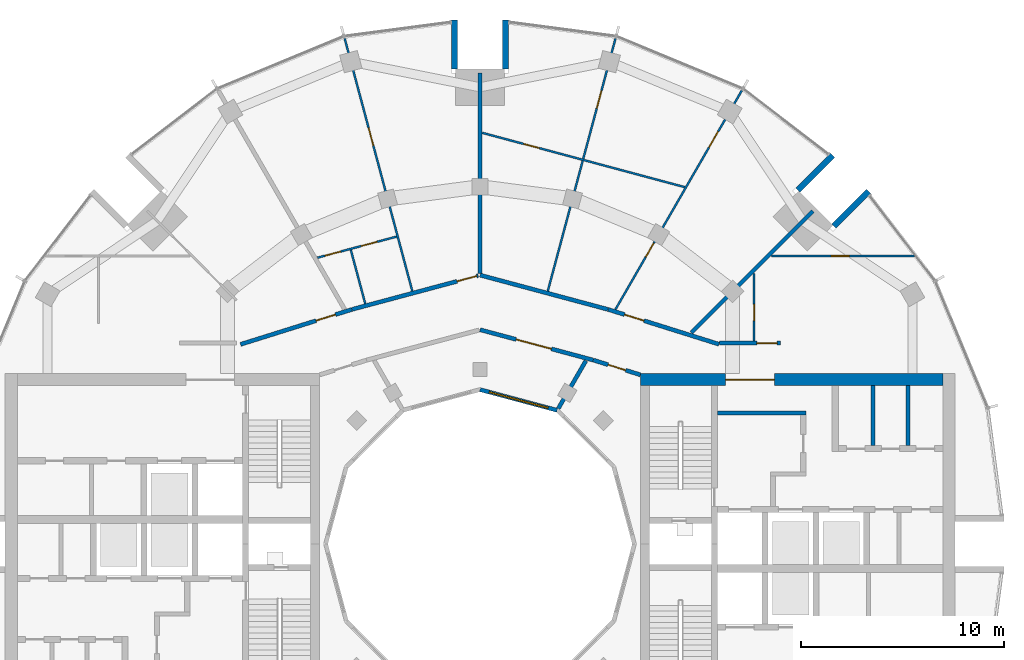
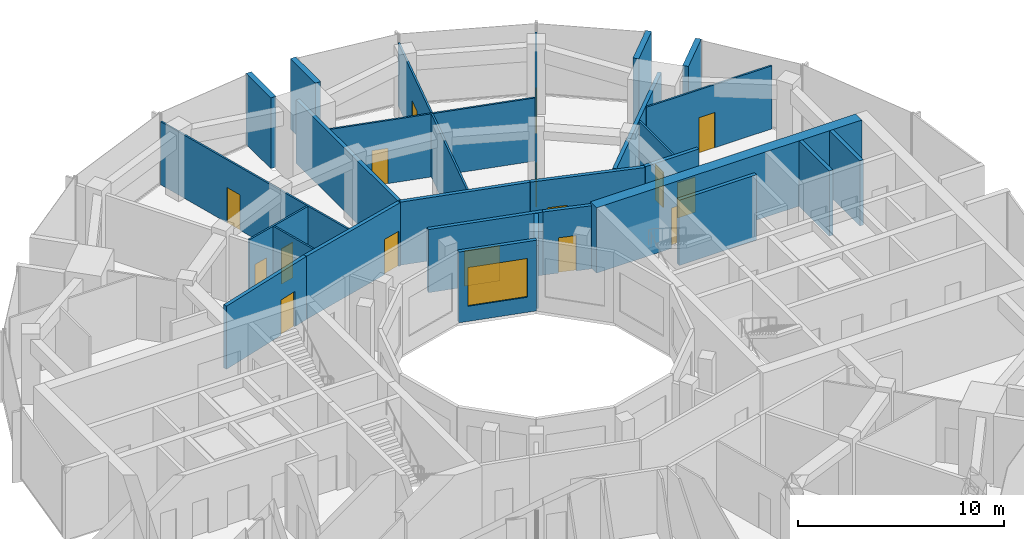
# One storey, part 12 of 15: 27 walls, 16 doors, 1 window, 17 openings.
"""IFC4 building model written with IfcOpenShell, lengths in metres."""

from ifc_helpers import new_model, si_unit, direction, frame, frame_2d, origin, place, context, subcontext, project, spatial, rectangle, extrude, material, layer, layer_set, type_object, element, fill, save


model = new_model("IFC4")

# Units and contexts
model_context = context("Model", 3, precision=1e-05, world=origin(), true_north=direction((0.0, 1.0)))
body_context = subcontext(model_context, "Body", "Model", "MODEL_VIEW")
ifc_project = project(units=[si_unit("LENGTHUNIT", "METRE"), si_unit("AREAUNIT", "SQUARE_METRE"), si_unit("VOLUMEUNIT", "CUBIC_METRE"), si_unit("PLANEANGLEUNIT", "RADIAN"), si_unit("MASSUNIT", "GRAM", prefix="KILO")], contexts=[model_context])

# Site, building, storey
site_placement = place(None, origin())
site = spatial("IfcSite", under=ifc_project, at=site_placement, CompositionType="ELEMENT")
building_placement = place(site_placement, origin())
building = spatial("IfcBuilding", under=site, at=building_placement, Name="Torre Brocal", CompositionType="ELEMENT")
storey_placement = place(building_placement, frame((0.0, 0.0, 216.699951171875)))
storey = spatial("IfcBuildingStorey", under=building, at=storey_placement, Name="L50", CompositionType="ELEMENT", Elevation=216.699951171875)

# Walls
ifc_material_1 = material(Name="Masonry block", Category="masonry")
ifc_layer_1 = layer(ifc_material_1, 0.199951171875)
ifc_layer_set_1 = layer_set([ifc_layer_1], Name="Masonry block")
wall_type_1 = type_object("IfcWallType", Name="CORE PARTITION 200", PredefinedType="PARTITIONING", material=ifc_layer_set_1)
for number, where, z_axis, x_axis, name in (
    (1, (99.36669921875, 79.85009765625, 0.0), (0.0, 0.0, 1.0), (0.0, 1.0, 0.0), "Wall CP200"),
    (2, (101.083251953125, 79.85009765625, 0.0), (0.0, 0.0, 1.0), (0.0, 1.0, 0.0), "Wall CP200"),
):
    element("IfcWall", number, at=place(storey_placement, frame(where, z_axis=z_axis, x_axis=x_axis)), inside=storey, type_object=wall_type_1, Name=name, PredefinedType="PARTITIONING", context=body_context, shape_type="SweptSolid", body=[
        extrude(rectangle(XDim=2.949951171875, YDim=0.199951171875, at=frame_2d((1.47509765625, 0.0))), origin(), (0.0, 0.0, 1.0), 3.880126953125),
    ])
ifc_material_2 = material(Name="Concrete C60", Category="concrete")
ifc_layer_2 = layer(ifc_material_2, 0.199951171875)
ifc_layer_set_2 = layer_set([ifc_layer_2], Name="Concrete C60")
wall_type_2 = type_object("IfcWallType", Name="CORE WALL 200 C60", PredefinedType="SHEAR", material=ifc_layer_set_2)
wall_1_placement = place(storey_placement, frame((91.699951171875, 81.449951171875, 0.0), z_axis=(0.0, 0.0, 1.0), x_axis=(1.0, 0.0, 0.0)))
element("IfcWall", 3, at=wall_1_placement, inside=storey, type_object=wall_type_2, Name="Wall CW200-60", PredefinedType="SHEAR", context=body_context, shape_type="SweptSolid", body=[
    extrude(rectangle(XDim=4.35009765625, YDim=0.199951171875, at=frame_2d((2.175048828125, 0.0))), origin(), (0.0, 0.0, 1.0), 3.880126953125),
])

# Wall, opening, door
ifc_material_3 = material(Name="Concrete C60", Category="concrete")
ifc_layer_3 = layer(ifc_material_3, 0.60009765625)
ifc_layer_set_3 = layer_set([ifc_layer_3], Name="Concrete C60")
wall_type_3 = type_object("IfcWallType", Name="CORE WALL 600 C60", PredefinedType="SHEAR", material=ifc_layer_set_3)
wall_2_placement = place(storey_placement, frame((87.89990234375, 83.10009765625, 0.0), z_axis=(0.0, 0.0, 1.0), x_axis=(1.0, 0.0, 0.0)))
wall_2 = element("IfcWall", 4, at=wall_2_placement, inside=storey, type_object=wall_type_3, Name="Wall CW600-60", PredefinedType="SHEAR", context=body_context, shape_type="SweptSolid", body=[
    extrude(rectangle(XDim=14.900146484375, YDim=0.60009765625, at=frame_2d((7.4501953125, 0.0))), origin(), (0.0, 0.0, 1.0), 3.880126953125),
])
opening_1_placement = place(wall_2_placement, frame((4.199951171875, 0.0, 0.0)))
opening_1 = element("IfcOpeningElement", 5, at=opening_1_placement, cuts=wall_2, Name="Opening E-D12", PredefinedType="OPENING", context=body_context, shape_type="SweptSolid", body=[
    extrude(rectangle(XDim=2.39990234375, YDim=2.39990234375, at=frame_2d((1.199951171875, 1.199951171875))), frame((0.0, 0.31005859375, 0.0), z_axis=(0.0, -1.0, 0.0), x_axis=(1.0, 0.0, 0.0)), (0.0, 0.0, 1.0), 0.6201171875),
])
ifc_material_4 = material(Name="Steel A653", Category="steel")
door_type_1 = type_object("IfcDoorType", Name="DOUBLE FIRE DOOR FD90 2400X2400", OperationType="DOUBLE_DOOR_SINGLE_SWING", PredefinedType="DOOR", material=ifc_material_4)
door_1_placement = place(opening_1_placement, frame((2.39990234375, 0.0, 0.0), z_axis=(0.0, 0.0, 1.0), x_axis=(-1.0, 0.0, 0.0)))
door_1 = element("IfcDoor", 6, at=door_1_placement, inside=storey, type_object=door_type_1, Name="Door E-D12", OperationType="DOUBLE_DOOR_SINGLE_SWING", OverallHeight=2.39990234375, OverallWidth=2.39990234375, PredefinedType="DOOR", context=body_context, shape_type="SweptSolid", body=[
    extrude(rectangle(XDim=2.39990234375, YDim=2.39990234375, at=frame_2d((1.199951171875, 1.199951171875))), frame((0.0, 0.02490234375, 0.0), z_axis=(0.0, -1.0, 0.0), x_axis=(1.0, 0.0, 0.0)), (0.0, 0.0, 1.0), 0.050048828125),
])
fill(opening_1, door_1)

# Walls
ifc_material_5 = material(Name="Concrete C60", Category="concrete")
ifc_layer_4 = layer(ifc_material_5, 0.300048828125)
ifc_layer_set_4 = layer_set([ifc_layer_4], Name="Concrete C60")
wall_type_4 = type_object("IfcWallType", Name="NOTCH RETURN WALL 300 C60", PredefinedType="NOTDEFINED", material=ifc_layer_set_4)
for number, where, z_axis, x_axis, name in (
    (7, (97.43017578125, 90.662353515625, 0.0), (0.0, 0.0, 1.0), (0.707106781187, 0.707106781187, 0.0), "NOTCH RETURN WALL"),
    (8, (95.662353515625, 92.43017578125, 0.0), (0.0, 0.0, 1.0), (0.707106781187, 0.707106781187, 0.0), "NOTCH RETURN WALL"),
    (9, (81.25, 98.39990234375, 0.0), (0.0, 0.0, 1.0), (0.0, 1.0, 0.0), "NOTCH RETURN WALL"),
    (10, (78.75, 98.39990234375, 0.0), (0.0, 0.0, 1.0), (0.0, 1.0, 0.0), "NOTCH RETURN WALL"),
):
    element("IfcWall", number, at=place(storey_placement, frame(where, z_axis=z_axis, x_axis=x_axis)), inside=storey, type_object=wall_type_4, Name=name, PredefinedType="NOTDEFINED", context=body_context, shape_type="SweptSolid", body=[
        extrude(rectangle(XDim=2.415771484375, YDim=0.300048828125, at=frame_2d((1.2080078125, 0.0))), origin(), (0.0, 0.0, 1.0), 4.199951171875),
    ])

# Wall, openings, doors
ifc_material_6 = material(Name="Gypsum board", Category="Gypsum")
ifc_layer_5 = layer(ifc_material_6, 0.10009765625)
ifc_layer_set_5 = layer_set([ifc_layer_5], Name="Gypsum board")
wall_type_5 = type_object("IfcWallType", Name="PARTITION 100", PredefinedType="PARTITIONING", material=ifc_layer_set_5)
wall_3_placement = place(storey_placement, frame((71.9912109375, 89.104248046875, 0.0), z_axis=(0.0, 0.0, 1.0), x_axis=(0.96632826418, 0.257312428472, 0.0)))
wall_3 = element("IfcWall", 11, at=wall_3_placement, inside=storey, type_object=wall_type_5, Name="BATHROOM WALL", PredefinedType="PARTITIONING", context=body_context, shape_type="SweptSolid", body=[
    extrude(rectangle(XDim=4.035400390625, YDim=0.10009765625, at=frame_2d((2.017578125, 0.0))), origin(), (0.0, 0.0, 1.0), 3.75),
])
opening_2_placement = place(wall_3_placement, frame((2.235107421875, 0.0, 0.0)))
opening_2 = element("IfcOpeningElement", 12, at=opening_2_placement, cuts=wall_3, Name="Opening B01-D11", PredefinedType="OPENING", context=body_context, shape_type="SweptSolid", body=[
    extrude(rectangle(XDim=0.800048828125, YDim=2.10009765625, at=frame_2d((0.39990234375, 1.050048828125))), frame((0.0, 0.06005859375, 0.0), z_axis=(0.0, -1.0, 0.0), x_axis=(1.0, 0.0, 0.0)), (0.0, 0.0, 1.0), 0.1201171875),
])
opening_3_placement = place(wall_3_placement, frame((0.3828125, 0.0, 0.0)))
opening_3 = element("IfcOpeningElement", 13, at=opening_3_placement, cuts=wall_3, Name="Opening B01-D12", PredefinedType="OPENING", context=body_context, shape_type="SweptSolid", body=[
    extrude(rectangle(XDim=0.800048828125, YDim=2.10009765625, at=frame_2d((0.39990234375, 1.050048828125))), frame((0.0, 0.06005859375, 0.0), z_axis=(0.0, -1.0, 0.0), x_axis=(1.0, 0.0, 0.0)), (0.0, 0.0, 1.0), 0.1201171875),
])
ifc_material_7 = material(Name="Timber", Category="wood")
door_type_2 = type_object("IfcDoorType", Name="BATHROOM DOOR 800X2100", OperationType="SINGLE_SWING_LEFT", PredefinedType="DOOR", material=ifc_material_7)
door_2_placement = place(opening_2_placement, frame((0.800048828125, 0.0, 0.0), z_axis=(0.0, 0.0, 1.0), x_axis=(-1.0, 0.0, 0.0)))
door_2 = element("IfcDoor", 14, at=door_2_placement, inside=storey, type_object=door_type_2, Name="B01-D11", OperationType="SINGLE_SWING_RIGHT", OverallHeight=2.10009765625, OverallWidth=0.800048828125, PredefinedType="DOOR", context=body_context, shape_type="SweptSolid", body=[
    extrude(rectangle(XDim=0.800048828125, YDim=2.10009765625, at=frame_2d((0.39990234375, 1.050048828125))), frame((0.0, 0.02490234375, 0.0), z_axis=(0.0, -1.0, 0.0), x_axis=(1.0, 0.0, 0.0)), (0.0, 0.0, 1.0), 0.050048828125),
])
fill(opening_2, door_2)
door_3_placement = place(opening_3_placement, frame((0.800048828125, 0.0, 0.0), z_axis=(0.0, 0.0, 1.0), x_axis=(-1.0, 0.0, 0.0)))
door_3 = element("IfcDoor", 15, at=door_3_placement, inside=storey, type_object=door_type_2, Name="B01-D12", OperationType="SINGLE_SWING_RIGHT", OverallHeight=2.10009765625, OverallWidth=0.800048828125, PredefinedType="DOOR", context=body_context, shape_type="SweptSolid", body=[
    extrude(rectangle(XDim=0.800048828125, YDim=2.10009765625, at=frame_2d((0.39990234375, 1.050048828125))), frame((0.0, 0.02490234375, 0.0), z_axis=(0.0, -1.0, 0.0), x_axis=(1.0, 0.0, 0.0)), (0.0, 0.0, 1.0), 0.050048828125),
])
fill(opening_3, door_3)

# Wall, opening, door
wall_4_placement = place(storey_placement, frame((73.32568359375, 99.919921875, 0.0), z_axis=(0.0, 0.0, 1.0), x_axis=(0.258675243249, -0.965964346407, 0.0)))
wall_4 = element("IfcWall", 16, at=wall_4_placement, inside=storey, type_object=wall_type_5, Name="BATHROOM WALL", PredefinedType="PARTITIONING", context=body_context, shape_type="SweptSolid", body=[
    extrude(rectangle(XDim=12.90380859375, YDim=0.10009765625, at=frame_2d((6.451904296875, 0.0))), origin(), (0.0, 0.0, 1.0), 3.75),
])
opening_4_placement = place(wall_4_placement, frame((4.5771484375, 0.0, 0.0)))
opening_4 = element("IfcOpeningElement", 17, at=opening_4_placement, cuts=wall_4, Name="Opening B01-D10", PredefinedType="OPENING", context=body_context, shape_type="SweptSolid", body=[
    extrude(rectangle(XDim=0.89990234375, YDim=2.10009765625, at=frame_2d((0.449951171875, 1.050048828125))), frame((0.0, 0.06005859375, 0.0), z_axis=(0.0, -1.0, 0.0), x_axis=(1.0, 0.0, 0.0)), (0.0, 0.0, 1.0), 0.1201171875),
])
ifc_material_8 = material(Name="Timber", Category="wood")
door_type_3 = type_object("IfcDoorType", Name="ROOM DOOR 900X2100", OperationType="SINGLE_SWING_LEFT", PredefinedType="DOOR", material=ifc_material_8)
door_4_placement = place(opening_4_placement, frame((0.89990234375, 0.0, 0.0), z_axis=(0.0, 0.0, 1.0), x_axis=(-1.0, 0.0, 0.0)))
door_4 = element("IfcDoor", 18, at=door_4_placement, inside=storey, type_object=door_type_3, Name="B01-D10", OperationType="SINGLE_SWING_RIGHT", OverallHeight=2.10009765625, OverallWidth=0.89990234375, PredefinedType="DOOR", context=body_context, shape_type="SweptSolid", body=[
    extrude(rectangle(XDim=0.89990234375, YDim=2.10009765625, at=frame_2d((0.449951171875, 1.050048828125))), frame((0.0, 0.02490234375, 0.0), z_axis=(0.0, -1.0, 0.0), x_axis=(1.0, 0.0, 0.0)), (0.0, 0.0, 1.0), 0.050048828125),
])
fill(opening_4, door_4)

# Wall
wall_5_placement = place(storey_placement, frame((73.6328125, 89.48974609375, 0.0), z_axis=(0.0, 0.0, 1.0), x_axis=(0.259005329799, -0.965875892201, 0.0)))
element("IfcWall", 19, at=wall_5_placement, inside=storey, type_object=wall_type_5, Name="BATHROOM WALL", PredefinedType="PARTITIONING", context=body_context, shape_type="SweptSolid", body=[
    extrude(rectangle(XDim=2.74951171875, YDim=0.10009765625, at=frame_2d((1.374755859375, 0.0))), origin(), (0.0, 0.0, 1.0), 3.75),
])

# Wall, opening, door
wall_6_placement = place(storey_placement, frame((80.106201171875, 95.257568359375, 0.0), z_axis=(0.0, 0.0, 1.0), x_axis=(0.965862886122, -0.259053826862, 0.0)))
wall_6 = element("IfcWall", 20, at=wall_6_placement, inside=storey, type_object=wall_type_5, Name="BATHROOM WALL", PredefinedType="PARTITIONING", context=body_context, shape_type="SweptSolid", body=[
    extrude(rectangle(XDim=10.3310546875, YDim=0.10009765625, at=frame_2d((5.16552734375, 0.0))), origin(), (0.0, 0.0, 1.0), 3.75),
])
opening_5_placement = place(wall_6_placement, frame((2.114990234375, 0.0, 0.0)))
opening_5 = element("IfcOpeningElement", 21, at=opening_5_placement, cuts=wall_6, Name="Opening B01-D08", PredefinedType="OPENING", context=body_context, shape_type="SweptSolid", body=[
    extrude(rectangle(XDim=0.800048828125, YDim=2.10009765625, at=frame_2d((0.39990234375, 1.050048828125))), frame((0.0, 0.06005859375, 0.0), z_axis=(0.0, -1.0, 0.0), x_axis=(1.0, 0.0, 0.0)), (0.0, 0.0, 1.0), 0.1201171875),
])
door_5_placement = place(opening_5_placement, frame((0.800048828125, 0.0, 0.0), z_axis=(0.0, 0.0, 1.0), x_axis=(-1.0, 0.0, 0.0)))
door_5 = element("IfcDoor", 22, at=door_5_placement, inside=storey, type_object=door_type_2, Name="B01-D08", OperationType="SINGLE_SWING_RIGHT", OverallHeight=2.10009765625, OverallWidth=0.800048828125, PredefinedType="DOOR", context=body_context, shape_type="SweptSolid", body=[
    extrude(rectangle(XDim=0.800048828125, YDim=2.10009765625, at=frame_2d((0.39990234375, 1.050048828125))), frame((0.0, 0.02490234375, 0.0), z_axis=(0.0, -1.0, 0.0), x_axis=(1.0, 0.0, 0.0)), (0.0, 0.0, 1.0), 0.050048828125),
])
fill(opening_5, door_5)

wall_7_placement = place(storey_placement, frame((83.3369140625, 87.455078125, 0.0), z_axis=(0.0, 0.0, 1.0), x_axis=(0.258843579905, 0.965919251875, 0.0)))
wall_7 = element("IfcWall", 23, at=wall_7_placement, inside=storey, type_object=wall_type_5, Name="BATHROOM WALL", PredefinedType="PARTITIONING", context=body_context, shape_type="SweptSolid", body=[
    extrude(rectangle(XDim=12.90380859375, YDim=0.10009765625, at=frame_2d((6.451904296875, 0.0))), origin(), (0.0, 0.0, 1.0), 3.75),
])
opening_6_placement = place(wall_7_placement, frame((9.326416015625, 0.0, 0.0)))
opening_6 = element("IfcOpeningElement", 24, at=opening_6_placement, cuts=wall_7, Name="Opening B01-D07", PredefinedType="OPENING", context=body_context, shape_type="SweptSolid", body=[
    extrude(rectangle(XDim=0.89990234375, YDim=2.10009765625, at=frame_2d((0.449951171875, 1.050048828125))), frame((0.0, 0.06005859375, 0.0), z_axis=(0.0, -1.0, 0.0), x_axis=(1.0, 0.0, 0.0)), (0.0, 0.0, 1.0), 0.1201171875),
])
door_6_placement = place(opening_6_placement, origin())
door_6 = element("IfcDoor", 25, at=door_6_placement, inside=storey, type_object=door_type_3, Name="B01-D07", OperationType="SINGLE_SWING_RIGHT", OverallHeight=2.10009765625, OverallWidth=0.89990234375, PredefinedType="DOOR", context=body_context, shape_type="SweptSolid", body=[
    extrude(rectangle(XDim=0.89990234375, YDim=2.10009765625, at=frame_2d((0.449951171875, 1.050048828125))), frame((0.0, 0.02490234375, 0.0), z_axis=(0.0, -1.0, 0.0), x_axis=(1.0, 0.0, 0.0)), (0.0, 0.0, 1.0), 0.050048828125),
])
fill(opening_6, door_6)

# Wall, openings, doors
wall_8_placement = place(storey_placement, frame((86.6708984375, 86.55419921875, 0.0), z_axis=(0.0, 0.0, 1.0), x_axis=(0.50001992892, 0.866013897511, 0.0)))
wall_8 = element("IfcWall", 26, at=wall_8_placement, inside=storey, type_object=wall_type_5, Name="BATHROOM WALL", PredefinedType="PARTITIONING", context=body_context, shape_type="SweptSolid", body=[
    extrude(rectangle(XDim=12.4560546875, YDim=0.10009765625, at=frame_2d((6.22802734375, 0.0))), origin(), (0.0, 0.0, 1.0), 3.75),
])
opening_7_placement = place(wall_8_placement, frame((9.214599609375, 0.0, 0.0)))
opening_7 = element("IfcOpeningElement", 27, at=opening_7_placement, cuts=wall_8, Name="Opening B01-D05", PredefinedType="OPENING", context=body_context, shape_type="SweptSolid", body=[
    extrude(rectangle(XDim=0.89990234375, YDim=2.10009765625, at=frame_2d((0.449951171875, 1.050048828125))), frame((0.0, 0.06005859375, 0.0), z_axis=(0.0, -1.0, 0.0), x_axis=(1.0, 0.0, 0.0)), (0.0, 0.0, 1.0), 0.1201171875),
])
opening_8_placement = place(wall_8_placement, frame((2.973876953125, 0.0, 0.0)))
opening_8 = element("IfcOpeningElement", 28, at=opening_8_placement, cuts=wall_8, Name="Opening B01-D06", PredefinedType="OPENING", context=body_context, shape_type="SweptSolid", body=[
    extrude(rectangle(XDim=0.800048828125, YDim=2.10009765625, at=frame_2d((0.39990234375, 1.050048828125))), frame((0.0, 0.06005859375, 0.0), z_axis=(0.0, -1.0, 0.0), x_axis=(1.0, 0.0, 0.0)), (0.0, 0.0, 1.0), 0.1201171875),
])
door_7_placement = place(opening_8_placement, origin())
door_7 = element("IfcDoor", 29, at=door_7_placement, inside=storey, type_object=door_type_2, Name="B01-D06", OperationType="SINGLE_SWING_RIGHT", OverallHeight=2.10009765625, OverallWidth=0.800048828125, PredefinedType="DOOR", context=body_context, shape_type="SweptSolid", body=[
    extrude(rectangle(XDim=0.800048828125, YDim=2.10009765625, at=frame_2d((0.39990234375, 1.050048828125))), frame((0.0, 0.02490234375, 0.0), z_axis=(0.0, -1.0, 0.0), x_axis=(1.0, 0.0, 0.0)), (0.0, 0.0, 1.0), 0.050048828125),
])
fill(opening_8, door_7)
door_8_placement = place(opening_7_placement, frame((0.89990234375, 0.0, 0.0), z_axis=(0.0, 0.0, 1.0), x_axis=(-1.0, 0.0, 0.0)))
door_8 = element("IfcDoor", 30, at=door_8_placement, inside=storey, type_object=door_type_3, Name="B01-D05", OperationType="SINGLE_SWING_LEFT", OverallHeight=2.10009765625, OverallWidth=0.89990234375, PredefinedType="DOOR", context=body_context, shape_type="SweptSolid", body=[
    extrude(rectangle(XDim=0.89990234375, YDim=2.10009765625, at=frame_2d((0.449951171875, 1.050048828125))), frame((0.0, 0.02490234375, 0.0), z_axis=(0.0, -1.0, 0.0), x_axis=(1.0, 0.0, 0.0)), (0.0, 0.0, 1.0), 0.050048828125),
])
fill(opening_7, door_8)

# Wall, opening, door
wall_9_placement = place(storey_placement, frame((93.5, 85.0, 0.0), z_axis=(0.0, 0.0, 1.0), x_axis=(0.0, 1.0, 0.0)))
wall_9 = element("IfcWall", 31, at=wall_9_placement, inside=storey, type_object=wall_type_5, Name="BATHROOM WALL", PredefinedType="PARTITIONING", context=body_context, shape_type="SweptSolid", body=[
    extrude(rectangle(XDim=3.3193359375, YDim=0.10009765625, at=frame_2d((1.65966796875, 0.0))), origin(), (0.0, 0.0, 1.0), 3.75),
])
opening_9_placement = place(wall_9_placement, frame((1.0, 0.0, 0.0)))
opening_9 = element("IfcOpeningElement", 32, at=opening_9_placement, cuts=wall_9, Name="Opening B01-D03", PredefinedType="OPENING", context=body_context, shape_type="SweptSolid", body=[
    extrude(rectangle(XDim=0.800048828125, YDim=2.10009765625, at=frame_2d((0.39990234375, 1.050048828125))), frame((0.0, 0.06005859375, 0.0), z_axis=(0.0, -1.0, 0.0), x_axis=(1.0, 0.0, 0.0)), (0.0, 0.0, 1.0), 0.1201171875),
])
door_9_placement = place(opening_9_placement, origin())
door_9 = element("IfcDoor", 33, at=door_9_placement, inside=storey, type_object=door_type_2, Name="B01-D03", OperationType="SINGLE_SWING_LEFT", OverallHeight=2.10009765625, OverallWidth=0.800048828125, PredefinedType="DOOR", context=body_context, shape_type="SweptSolid", body=[
    extrude(rectangle(XDim=0.800048828125, YDim=2.10009765625, at=frame_2d((0.39990234375, 1.050048828125))), frame((0.0, 0.02490234375, 0.0), z_axis=(0.0, -1.0, 0.0), x_axis=(1.0, 0.0, 0.0)), (0.0, 0.0, 1.0), 0.050048828125),
])
fill(opening_9, door_9)

wall_10_placement = place(storey_placement, frame((94.36865234375, 89.18798828125, 0.0), z_axis=(0.0, 0.0, 1.0), x_axis=(1.0, 0.0, 0.0)))
wall_10 = element("IfcWall", 34, at=wall_10_placement, inside=storey, type_object=wall_type_5, Name="ROOM PARTITION", PredefinedType="PARTITIONING", context=body_context, shape_type="SweptSolid", body=[
    extrude(rectangle(XDim=7.03125, YDim=0.10009765625, at=frame_2d((3.515625, 0.0))), origin(), (0.0, 0.0, 1.0), 3.75),
])
opening_10_placement = place(wall_10_placement, frame((2.9267578125, 0.0, 0.0)))
opening_10 = element("IfcOpeningElement", 35, at=opening_10_placement, cuts=wall_10, Name="Opening B01-D01", PredefinedType="OPENING", context=body_context, shape_type="SweptSolid", body=[
    extrude(rectangle(XDim=0.89990234375, YDim=2.10009765625, at=frame_2d((0.449951171875, 1.050048828125))), frame((0.0, 0.06005859375, 0.0), z_axis=(0.0, -1.0, 0.0), x_axis=(1.0, 0.0, 0.0)), (0.0, 0.0, 1.0), 0.1201171875),
])
door_10_placement = place(opening_10_placement, origin())
door_10 = element("IfcDoor", 36, at=door_10_placement, inside=storey, type_object=door_type_3, Name="B01-D01", OperationType="SINGLE_SWING_LEFT", OverallHeight=2.10009765625, OverallWidth=0.89990234375, PredefinedType="DOOR", context=body_context, shape_type="SweptSolid", body=[
    extrude(rectangle(XDim=0.89990234375, YDim=2.10009765625, at=frame_2d((0.449951171875, 1.050048828125))), frame((0.0, 0.02490234375, 0.0), z_axis=(0.0, -1.0, 0.0), x_axis=(1.0, 0.0, 0.0)), (0.0, 0.0, 1.0), 0.050048828125),
])
fill(opening_10, door_10)

ifc_material_9 = material(Name="Gypsum board", Category="Gypsum")
ifc_layer_6 = layer(ifc_material_9, 0.199951171875)
ifc_layer_set_6 = layer_set([ifc_layer_6], Name="Gypsum board")
wall_type_6 = type_object("IfcWallType", Name="PARTITION 200 EI60", PredefinedType="PARTITIONING", material=ifc_layer_set_6)
wall_11_placement = place(storey_placement, frame((68.199951171875, 84.83349609375, 0.0), z_axis=(0.0, 0.0, 1.0), x_axis=(0.954204109499, 0.299156342762, 0.0)))
wall_11 = element("IfcWall", 37, at=wall_11_placement, inside=storey, type_object=wall_type_6, Name="FLAT ENTRANCE WALL", PredefinedType="PARTITIONING", context=body_context, shape_type="SweptSolid", body=[
    extrude(rectangle(XDim=5.740478515625, YDim=0.199951171875, at=frame_2d((2.8701171875, 0.0))), origin(), (0.0, 0.0, 1.0), 3.75),
])
opening_11_placement = place(wall_11_placement, frame((3.90283203125, 0.0, 0.0)))
opening_11 = element("IfcOpeningElement", 38, at=opening_11_placement, cuts=wall_11, Name="Opening B01-D13", PredefinedType="OPENING", context=body_context, shape_type="SweptSolid", body=[
    extrude(rectangle(XDim=1.0, YDim=2.10009765625, at=frame_2d((0.5, 1.050048828125))), frame((0.0, 0.10986328125, 0.0), z_axis=(0.0, -1.0, 0.0), x_axis=(1.0, 0.0, 0.0)), (0.0, 0.0, 1.0), 0.219970703125),
])
ifc_material_10 = material(Name="Timber", Category="wood")
door_type_4 = type_object("IfcDoorType", Name="FLAT ENTRY DOOR FD30S 1000X2100", OperationType="SINGLE_SWING_RIGHT", PredefinedType="DOOR", material=ifc_material_10)
door_11_placement = place(opening_11_placement, origin())
door_11 = element("IfcDoor", 39, at=door_11_placement, inside=storey, type_object=door_type_4, Name="B01-D13", OperationType="SINGLE_SWING_RIGHT", OverallHeight=2.10009765625, OverallWidth=1.0, PredefinedType="DOOR", context=body_context, shape_type="SweptSolid", body=[
    extrude(rectangle(XDim=1.0, YDim=2.10009765625, at=frame_2d((0.5, 1.050048828125))), frame((0.0, 0.02490234375, 0.0), z_axis=(0.0, -1.0, 0.0), x_axis=(1.0, 0.0, 0.0)), (0.0, 0.0, 1.0), 0.050048828125),
])
fill(opening_11, door_11)

wall_12_placement = place(storey_placement, frame((73.686767578125, 86.5546875, 0.0), z_axis=(0.0, 0.0, 1.0), x_axis=(0.966020868517, 0.258464081818, 0.0)))
wall_12 = element("IfcWall", 40, at=wall_12_placement, inside=storey, type_object=wall_type_6, Name="FLAT ENTRANCE WALL", PredefinedType="PARTITIONING", context=body_context, shape_type="SweptSolid", body=[
    extrude(rectangle(XDim=6.44580078125, YDim=0.199951171875, at=frame_2d((3.222900390625, 0.0))), origin(), (0.0, 0.0, 1.0), 3.75),
])
opening_12_placement = place(wall_12_placement, frame((5.36181640625, 0.0, 0.0)))
opening_12 = element("IfcOpeningElement", 41, at=opening_12_placement, cuts=wall_12, Name="Opening B01-D09", PredefinedType="OPENING", context=body_context, shape_type="SweptSolid", body=[
    extrude(rectangle(XDim=1.0, YDim=2.10009765625, at=frame_2d((0.5, 1.050048828125))), frame((0.0, 0.10986328125, 0.0), z_axis=(0.0, -1.0, 0.0), x_axis=(1.0, 0.0, 0.0)), (0.0, 0.0, 1.0), 0.219970703125),
])
door_12_placement = place(opening_12_placement, origin())
door_12 = element("IfcDoor", 42, at=door_12_placement, inside=storey, type_object=door_type_4, Name="B01-D09", OperationType="SINGLE_SWING_RIGHT", OverallHeight=2.10009765625, OverallWidth=1.0, PredefinedType="DOOR", context=body_context, shape_type="SweptSolid", body=[
    extrude(rectangle(XDim=1.0, YDim=2.10009765625, at=frame_2d((0.5, 1.050048828125))), frame((0.0, 0.02490234375, 0.0), z_axis=(0.0, -1.0, 0.0), x_axis=(1.0, 0.0, 0.0)), (0.0, 0.0, 1.0), 0.050048828125),
])
fill(opening_12, door_12)

wall_13_placement = place(storey_placement, frame((80.0, 85.55419921875, 0.0), z_axis=(0.0, 0.0, 1.0), x_axis=(0.965894438951, -0.258936155845, 0.0)))
wall_13 = element("IfcWall", 43, at=wall_13_placement, inside=storey, type_object=wall_type_6, Name="CORRIDOR WALL", PredefinedType="PARTITIONING", context=body_context, shape_type="SweptSolid", body=[
    extrude(rectangle(XDim=5.774169921875, YDim=0.199951171875, at=frame_2d((2.88720703125, 0.0))), origin(), (0.0, 0.0, 1.0), 3.75),
])
opening_13_placement = place(wall_13_placement, frame((1.84130859375, 0.0, 0.0)))
opening_13 = element("IfcOpeningElement", 44, at=opening_13_placement, cuts=wall_13, Name="Opening B01-D18", PredefinedType="OPENING", context=body_context, shape_type="SweptSolid", body=[
    extrude(rectangle(XDim=1.800048828125, YDim=2.10009765625, at=frame_2d((0.89990234375, 1.050048828125))), frame((0.0, 0.10986328125, 0.0), z_axis=(0.0, -1.0, 0.0), x_axis=(1.0, 0.0, 0.0)), (0.0, 0.0, 1.0), 0.219970703125),
])
ifc_material_11 = material(Name="Timber", Category="wood")
door_type_5 = type_object("IfcDoorType", Name="DOUBLE DOOR 1800X2100", OperationType="DOUBLE_DOOR_SINGLE_SWING", PredefinedType="DOOR", material=ifc_material_11)
door_13_placement = place(opening_13_placement, frame((1.800048828125, 0.0, 0.0), z_axis=(0.0, 0.0, 1.0), x_axis=(-1.0, 0.0, 0.0)))
door_13 = element("IfcDoor", 45, at=door_13_placement, inside=storey, type_object=door_type_5, Name="B01-D18", OperationType="DOUBLE_DOOR_SINGLE_SWING", OverallHeight=2.10009765625, OverallWidth=1.800048828125, PredefinedType="DOOR", context=body_context, shape_type="SweptSolid", body=[
    extrude(rectangle(XDim=1.800048828125, YDim=2.10009765625, at=frame_2d((0.89990234375, 1.050048828125))), frame((0.0, 0.02490234375, 0.0), z_axis=(0.0, -1.0, 0.0), x_axis=(1.0, 0.0, 0.0)), (0.0, 0.0, 1.0), 0.050048828125),
])
fill(opening_13, door_13)

# Walls
wall_14_placement = place(storey_placement, frame((80.0, 88.3359375, 0.0), z_axis=(0.0, 0.0, 1.0), x_axis=(0.0, 1.0, 0.0)))
element("IfcWall", 46, at=wall_14_placement, inside=storey, type_object=wall_type_6, Name="BATHROOM WALL", PredefinedType="PARTITIONING", context=body_context, shape_type="SweptSolid", body=[
    extrude(rectangle(XDim=9.864013671875, YDim=0.199951171875, at=frame_2d((4.93212890625, 0.0))), origin(), (0.0, 0.0, 1.0), 3.75),
])
wall_15_placement = place(storey_placement, frame((80.0, 88.24609375, 0.0), z_axis=(0.0, 0.0, 1.0), x_axis=(0.965866355913, -0.25904088966, 0.0)))
element("IfcWall", 47, at=wall_15_placement, inside=storey, type_object=wall_type_6, Name="GUESTROOM CORRIDOR WALL", PredefinedType="PARTITIONING", context=body_context, shape_type="SweptSolid", body=[
    extrude(rectangle(XDim=6.525634765625, YDim=0.199951171875, at=frame_2d((3.2626953125, 0.0))), origin(), (0.0, 0.0, 1.0), 3.75),
])
wall_16_placement = place(storey_placement, frame((83.8515625, 81.6669921875, 0.0), z_axis=(0.0, 0.0, 1.0), x_axis=(0.500138740334, 0.865945287196, 0.0)))
element("IfcWall", 48, at=wall_16_placement, inside=storey, type_object=wall_type_6, Name="SERVICE ROOM WALL", PredefinedType="PARTITIONING", context=body_context, shape_type="SweptSolid", body=[
    extrude(rectangle(XDim=2.724365234375, YDim=0.199951171875, at=frame_2d((1.3623046875, 0.0))), origin(), (0.0, 0.0, 1.0), 3.75),
])

# Wall, opening, door
wall_17_placement = place(storey_placement, frame((85.5869140625, 84.056884765625, 0.0), z_axis=(0.0, 0.0, 1.0), x_axis=(0.954239513179, -0.299043393987, 0.0)))
wall_17 = element("IfcWall", 49, at=wall_17_placement, inside=storey, type_object=wall_type_6, Name="CORRIDOR WALL", PredefinedType="PARTITIONING", context=body_context, shape_type="SweptSolid", body=[
    extrude(rectangle(XDim=2.423828125, YDim=0.199951171875, at=frame_2d((1.2119140625, 0.0))), origin(), (0.0, 0.0, 1.0), 3.75),
])
opening_14_placement = place(wall_17_placement, frame((0.761962890625, 0.0, 0.0)))
opening_14 = element("IfcOpeningElement", 50, at=opening_14_placement, cuts=wall_17, Name="Opening B01-D17", PredefinedType="OPENING", context=body_context, shape_type="SweptSolid", body=[
    extrude(rectangle(XDim=0.89990234375, YDim=2.10009765625, at=frame_2d((0.449951171875, 1.050048828125))), frame((0.0, 0.10986328125, 0.0), z_axis=(0.0, -1.0, 0.0), x_axis=(1.0, 0.0, 0.0)), (0.0, 0.0, 1.0), 0.219970703125),
])
door_14_placement = place(opening_14_placement, frame((0.89990234375, 0.0, 0.0), z_axis=(0.0, 0.0, 1.0), x_axis=(-1.0, 0.0, 0.0)))
door_14 = element("IfcDoor", 51, at=door_14_placement, inside=storey, type_object=door_type_3, Name="B01-D17", OperationType="SINGLE_SWING_LEFT", OverallHeight=2.10009765625, OverallWidth=0.89990234375, PredefinedType="DOOR", context=body_context, shape_type="SweptSolid", body=[
    extrude(rectangle(XDim=0.89990234375, YDim=2.10009765625, at=frame_2d((0.449951171875, 1.050048828125))), frame((0.0, 0.02490234375, 0.0), z_axis=(0.0, -1.0, 0.0), x_axis=(1.0, 0.0, 0.0)), (0.0, 0.0, 1.0), 0.050048828125),
])
fill(opening_14, door_14)

wall_18_placement = place(storey_placement, frame((86.31298828125, 86.554443359375, 0.0), z_axis=(0.0, 0.0, 1.0), x_axis=(0.954081217458, -0.299548043717, 0.0)))
wall_18 = element("IfcWall", 52, at=wall_18_placement, inside=storey, type_object=wall_type_6, Name="FLAT ENTRANCE WALL", PredefinedType="PARTITIONING", context=body_context, shape_type="SweptSolid", body=[
    extrude(rectangle(XDim=5.720703125, YDim=0.199951171875, at=frame_2d((2.8603515625, 0.0))), origin(), (0.0, 0.0, 1.0), 3.75),
])
opening_15_placement = place(wall_18_placement, frame((0.84765625, 0.0, 0.0)))
opening_15 = element("IfcOpeningElement", 53, at=opening_15_placement, cuts=wall_18, Name="Opening B01-D04", PredefinedType="OPENING", context=body_context, shape_type="SweptSolid", body=[
    extrude(rectangle(XDim=1.0, YDim=2.10009765625, at=frame_2d((0.5, 1.050048828125))), frame((0.0, 0.10986328125, 0.0), z_axis=(0.0, -1.0, 0.0), x_axis=(1.0, 0.0, 0.0)), (0.0, 0.0, 1.0), 0.219970703125),
])
door_15_placement = place(opening_15_placement, origin())
door_15 = element("IfcDoor", 54, at=door_15_placement, inside=storey, type_object=door_type_4, Name="B01-D04", OperationType="SINGLE_SWING_LEFT", OverallHeight=2.10009765625, OverallWidth=1.0, PredefinedType="DOOR", context=body_context, shape_type="SweptSolid", body=[
    extrude(rectangle(XDim=1.0, YDim=2.10009765625, at=frame_2d((0.5, 1.050048828125))), frame((0.0, 0.02490234375, 0.0), z_axis=(0.0, -1.0, 0.0), x_axis=(1.0, 0.0, 0.0)), (0.0, 0.0, 1.0), 0.050048828125),
])
fill(opening_15, door_15)

# Wall
wall_19_placement = place(storey_placement, frame((90.41552734375, 85.41650390625, 0.0), z_axis=(0.0, 0.0, 1.0), x_axis=(0.707265304299, 0.706948222527, 0.0)))
element("IfcWall", 55, at=wall_19_placement, inside=storey, type_object=wall_type_6, Name="BATHROOM WALL", PredefinedType="PARTITIONING", context=body_context, shape_type="SweptSolid", body=[
    extrude(rectangle(XDim=8.469482421875, YDim=0.199951171875, at=frame_2d((4.23486328125, 0.0))), origin(), (0.0, 0.0, 1.0), 3.75),
])

# Wall, opening, door
wall_20_placement = place(storey_placement, frame((91.800048828125, 84.89990234375, 0.0), z_axis=(0.0, 0.0, 1.0), x_axis=(1.0, 0.0, 0.0)))
wall_20 = element("IfcWall", 56, at=wall_20_placement, inside=storey, type_object=wall_type_6, Name="FLAT ENTRANCE WALL", PredefinedType="PARTITIONING", context=body_context, shape_type="SweptSolid", body=[
    extrude(rectangle(XDim=3.0, YDim=0.199951171875, at=frame_2d((1.5, 0.0))), origin(), (0.0, 0.0, 1.0), 3.75),
])
opening_16_placement = place(wall_20_placement, frame((1.840087890625, 0.0, 0.0)))
opening_16 = element("IfcOpeningElement", 57, at=opening_16_placement, cuts=wall_20, Name="Opening B01-D02", PredefinedType="OPENING", context=body_context, shape_type="SweptSolid", body=[
    extrude(rectangle(XDim=1.0, YDim=2.10009765625, at=frame_2d((0.5, 1.050048828125))), frame((0.0, 0.10986328125, 0.0), z_axis=(0.0, -1.0, 0.0), x_axis=(1.0, 0.0, 0.0)), (0.0, 0.0, 1.0), 0.219970703125),
])
door_16_placement = place(opening_16_placement, origin())
door_16 = element("IfcDoor", 58, at=door_16_placement, inside=storey, type_object=door_type_4, Name="B01-D02", OperationType="SINGLE_SWING_LEFT", OverallHeight=2.10009765625, OverallWidth=1.0, PredefinedType="DOOR", context=body_context, shape_type="SweptSolid", body=[
    extrude(rectangle(XDim=1.0, YDim=2.10009765625, at=frame_2d((0.5, 1.050048828125))), frame((0.0, 0.02490234375, 0.0), z_axis=(0.0, -1.0, 0.0), x_axis=(1.0, 0.0, 0.0)), (0.0, 0.0, 1.0), 0.050048828125),
])
fill(opening_16, door_16)

# Wall, opening, window
ifc_material_12 = material(Name="Concrete C40", Category="concrete")
ifc_layer_7 = layer(ifc_material_12, 0.199951171875)
ifc_layer_set_7 = layer_set([ifc_layer_7], Name="Concrete C40")
wall_type_7 = type_object("IfcWallType", Name="WELL FACADE WALL 200", PredefinedType="NOTDEFINED", material=ifc_layer_set_7)
wall_21_placement = place(storey_placement, frame((83.8017578125, 81.5849609375, 0.0), z_axis=(0.0, 0.0, 1.0), x_axis=(-0.965933654434, 0.258789828301, 0.0)))
wall_21 = element("IfcWall", 59, at=wall_21_placement, inside=storey, type_object=wall_type_7, Name="WELL FACADE WALL", PredefinedType="NOTDEFINED", context=body_context, shape_type="SweptSolid", body=[
    extrude(rectangle(XDim=3.935791015625, YDim=0.199951171875, at=frame_2d((1.9677734375, 0.0))), origin(), (0.0, 0.0, 1.0), 4.199951171875),
])
opening_17_placement = place(wall_21_placement, frame((0.468017578125, 0.0, 0.89990234375)))
opening_17 = element("IfcOpeningElement", 60, at=opening_17_placement, cuts=wall_21, Name="Opening W1", PredefinedType="OPENING", context=body_context, shape_type="SweptSolid", body=[
    extrude(rectangle(XDim=3.0, YDim=2.300048828125, at=frame_2d((1.5, 1.14990234375))), frame((0.0, 0.10986328125, 0.0), z_axis=(0.0, -1.0, 0.0), x_axis=(1.0, 0.0, 0.0)), (0.0, 0.0, 1.0), 0.219970703125),
])
ifc_material_13 = material(Name="Aluminium and glass", Category="aluminium")
window_type = type_object("IfcWindowType", Name="WELL WINDOW 3000X2300", PartitioningType="SINGLE_PANEL", PredefinedType="WINDOW", material=ifc_material_13)
window_placement = place(opening_17_placement, origin())
window = element("IfcWindow", 61, at=window_placement, inside=storey, type_object=window_type, Name="WELL WINDOW 3000X2300", OverallHeight=2.300048828125, OverallWidth=3.0, PartitioningType="SINGLE_PANEL", PredefinedType="WINDOW", context=body_context, shape_type="SweptSolid", body=[
    extrude(rectangle(XDim=3.0, YDim=2.300048828125, at=frame_2d((1.5, 1.14990234375))), frame((0.0, 0.030029296875, 0.0), z_axis=(0.0, -1.0, 0.0), x_axis=(1.0, 0.0, 0.0)), (0.0, 0.0, 1.0), 0.06005859375),
])
fill(opening_17, window)

save(model, "model.ifc")
